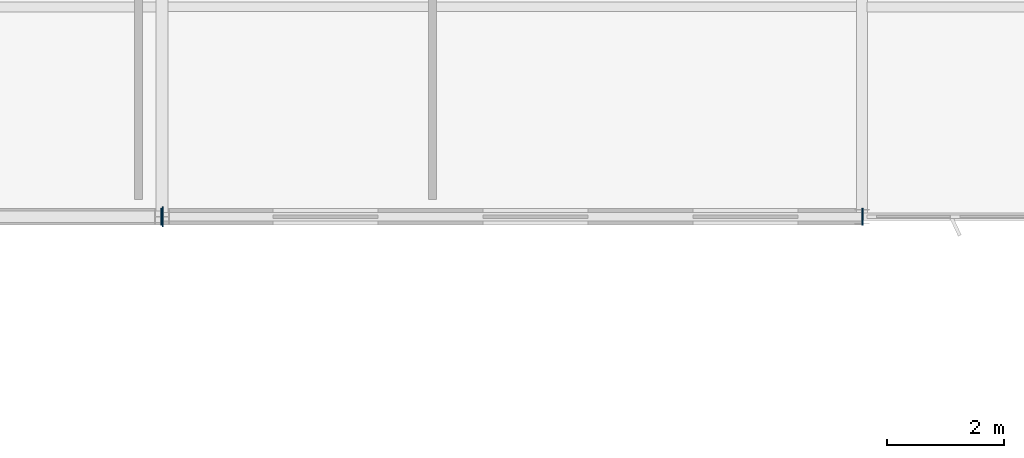
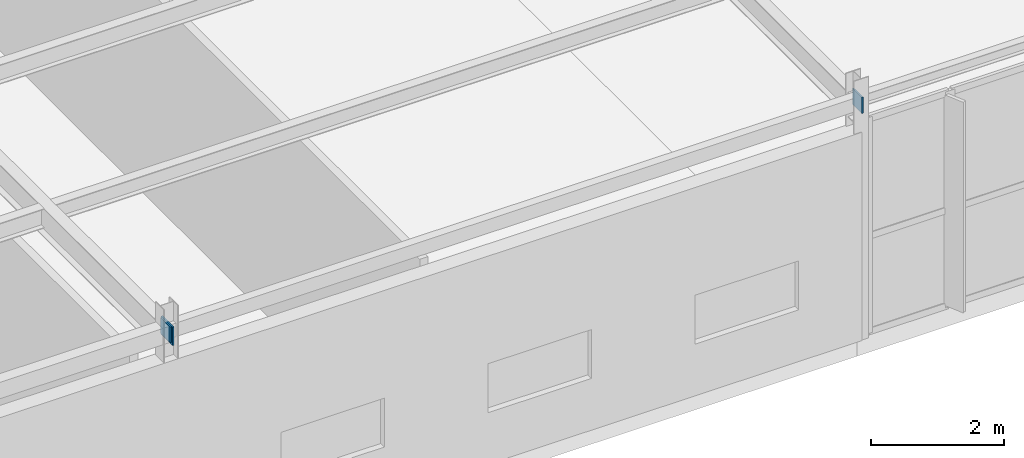
# One storey, part 131 of 199: 3 plates.
"""IFC4 building model written with IfcOpenShell, lengths in metres."""

import ifcopenshell
import ifcopenshell.guid

model = None  # the IFC model being written
_history = None  # IfcOwnerHistory: only IFC2X3 demands one
_inside = {}  # id of a spatial element -> (the spatial element, [elements in it])
_under = {}  # id of a project, library or spatial element -> (it, [spatial elements below it])
_declared = {}  # id of a project -> (the project, [libraries it declares])
_typed = {}  # id of a type object -> (the type object, [elements of that type])
_made_of = {}  # id of a material, layer set ... -> (it, [elements and type objects made of it])


def new_model(schema):
    """Start an empty IFC model of exactly this schema.

    Asked for "IFC4X3", IfcOpenShell would pick the latest addendum, in which some entities
    have other attributes; the version numbers below select the first issue.
    IFC2X3 requires an IfcOwnerHistory on every rooted entity: one is made here for all.
    """
    global model, _history
    if schema == "IFC4X3":
        model = ifcopenshell.file(schema_version=(4, 3, 0, 0))
    else:
        model = ifcopenshell.file(schema=schema)
    _inside.clear()
    _under.clear()
    _declared.clear()
    _typed.clear()
    _made_of.clear()
    _history = None
    if model.schema == "IFC2X3":
        org = make("IfcOrganization", Name="unknown")
        user = make(
            "IfcPersonAndOrganization",
            ThePerson=make("IfcPerson", FamilyName="unknown"),
            TheOrganization=org,
        )
        app = make(
            "IfcApplication",
            ApplicationDeveloper=org,
            Version="unknown",
            ApplicationFullName="unknown",
            ApplicationIdentifier="unknown",
        )
        _history = make(
            "IfcOwnerHistory",
            OwningUser=user,
            OwningApplication=app,
            ChangeAction="ADDED",
            CreationDate=0,
        )
    return model


def make(cls, **values):
    """One entity of the class cls with the attributes given. An attribute that is None is left unset."""
    return model.create_entity(
        cls, **{name: value for name, value in values.items() if value is not None}
    )


def rooted(cls, **values):
    """An entity with a GlobalId (a new one), such as an element, a storey or a relation."""
    return make(cls, GlobalId=ifcopenshell.guid.new(), OwnerHistory=_history, **values)


def si_unit(unit_type, name, prefix=None):
    """IfcSIUnit, for example si_unit("LENGTHUNIT", "METRE", prefix="MILLI")."""
    return make("IfcSIUnit", UnitType=unit_type, Prefix=prefix, Name=name)


def assignment(units):
    """IfcUnitAssignment: the units of a project."""
    return None if units is None else make("IfcUnitAssignment", Units=units)


def point(xyz):
    """IfcCartesianPoint."""
    return None if xyz is None else make("IfcCartesianPoint", Coordinates=xyz)


def direction(xyz):
    """IfcDirection."""
    return None if xyz is None else make("IfcDirection", DirectionRatios=xyz)


def frame(location, z_axis=None, x_axis=None):
    """IfcAxis2Placement3D, a coordinate frame: its origin and axes. An axis left out is left unset."""
    return make(
        "IfcAxis2Placement3D",
        Location=point(location),
        Axis=direction(z_axis),
        RefDirection=direction(x_axis),
    )


def frame_2d(location, x_axis=None):
    """IfcAxis2Placement2D, a coordinate frame in the plane: its origin and x axis."""
    return make(
        "IfcAxis2Placement2D", Location=point(location), RefDirection=direction(x_axis)
    )


def origin():
    """The frame at (0, 0, 0) with its axes left unset."""
    return frame((0.0, 0.0, 0.0))


def origin_2d():
    """The frame at (0, 0) in the plane with its x axis left unset."""
    return frame_2d((0.0, 0.0))


def place(relative_to, where):
    """IfcLocalPlacement: puts the frame where relative to a parent placement (None: the world)."""
    return make(
        "IfcLocalPlacement", PlacementRelTo=relative_to, RelativePlacement=where
    )


def context(
    kind, dimensions, precision=None, world=None, true_north=None, identifier=None
):
    """IfcGeometricRepresentationContext, for example the 3D "Model" context."""
    return make(
        "IfcGeometricRepresentationContext",
        ContextIdentifier=identifier,
        ContextType=kind,
        CoordinateSpaceDimension=dimensions,
        Precision=precision,
        WorldCoordinateSystem=world,
        TrueNorth=true_north,
    )


def subcontext(parent, identifier, kind, view, scale=None):
    """IfcGeometricRepresentationSubContext, for example "Body" below "Model"."""
    return make(
        "IfcGeometricRepresentationSubContext",
        ContextIdentifier=identifier,
        ContextType=kind,
        ParentContext=parent,
        TargetScale=scale,
        TargetView=view,
    )


def project(units=None, contexts=None):
    """IfcProject with its units and contexts."""
    return rooted(
        "IfcProject",
        Name="project",
        RepresentationContexts=contexts,
        UnitsInContext=assignment(units),
    )


def spatial(cls, under=None, at=None, **own):
    """A site, building, storey or space (cls), placed at a placement, below another one or the project."""
    s = rooted(cls, ObjectPlacement=at, **own)
    if under is not None:
        _under.setdefault(under.id(), (under, []))[1].append(s)
    return s


def profile(cls, at=None, kind="AREA", **sizes):
    """A parametric profile (cls). Its sizes go by their IFC names, for example OverallWidth=200.0."""
    return make(cls, ProfileType=kind, Position=at, **sizes)


def rectangle(**sizes):
    """IfcRectangleProfileDef."""
    return profile("IfcRectangleProfileDef", **sizes)


def extrude(swept, where, along, depth):
    """IfcExtrudedAreaSolid: the profile swept, set in the frame where, extruded along a direction by depth."""
    return make(
        "IfcExtrudedAreaSolid",
        SweptArea=swept,
        Position=where,
        ExtrudedDirection=direction(along),
        Depth=depth,
    )


def shape(context_of_items, identifier, shape_type, items):
    """IfcShapeRepresentation: the items that make up one representation, for example the "Body"."""
    return make(
        "IfcShapeRepresentation",
        ContextOfItems=context_of_items,
        RepresentationIdentifier=identifier,
        RepresentationType=shape_type,
        Items=items,
    )


def material(Name=None, Category=None):
    """IfcMaterial."""
    return make("IfcMaterial", Name=Name, Category=Category)


def layer(
    of_material, thickness, ventilated=None, Name=None, Category=None, Priority=None
):
    """IfcMaterialLayer: one layer of a wall or slab, of a material (None: an air gap)."""
    return make(
        "IfcMaterialLayer",
        Material=of_material,
        LayerThickness=thickness,
        IsVentilated=ventilated,
        Name=Name,
        Category=Category,
        Priority=Priority,
    )


def layer_set(layers, Name=None):
    """IfcMaterialLayerSet."""
    return make("IfcMaterialLayerSet", MaterialLayers=layers, LayerSetName=Name)


def made_of(thing, what):
    """Note that an element or type object is made of a material, layer set ...; save() writes the relation."""
    if what is not None:
        _made_of.setdefault(what.id(), (what, []))[1].append(thing)
    return thing


def type_object(cls, material=None, **own):
    """A type object (cls), such as IfcWallType, which elements share."""
    return made_of(rooted(cls, **own), material)


def element(
    cls,
    number,
    at=None,
    inside=None,
    cuts=None,
    type_object=None,
    material=None,
    context=None,
    identifier="Body",
    shape_type=None,
    held_by="IfcProductDefinitionShape",
    body=None,
    shapes=None,
    **own,
):
    """One element of the class cls, such as IfcWall. Its Tag is "e" and its number.

    at: its placement. inside: the storey or other place that contains it. cuts: it is an
    opening in that element (IfcRelVoidsElement). A single representation is given by context,
    identifier, shape_type and body (its items); several are given by shapes. held_by: the class
    of the entity that holds the representations. save() writes the other relations.
    """
    e = rooted(cls, Tag="e%d" % number, ObjectPlacement=at, **own)
    if body is not None:
        shapes = [shape(context, identifier, shape_type, body)]
    if shapes is not None:
        e.Representation = make(held_by, Representations=shapes)
    if inside is not None:
        _inside.setdefault(inside.id(), (inside, []))[1].append(e)
    if cuts is not None:
        rooted(
            "IfcRelVoidsElement", RelatingBuildingElement=cuts, RelatedOpeningElement=e
        )
    if type_object is not None:
        _typed.setdefault(type_object.id(), (type_object, []))[1].append(e)
    return made_of(e, material)


def aggregate(whole, parts):
    """IfcRelAggregates: a whole, such as a stair, and the parts it consists of."""
    return rooted("IfcRelAggregates", RelatingObject=whole, RelatedObjects=parts)


def save(model, path):
    """Write the relations noted so far, then the file.

    IfcRelAggregates (storeys below a building ...), IfcRelContainedInSpatialStructure (elements
    in a storey), IfcRelDefinesByType, IfcRelAssociatesMaterial and IfcRelDeclares: one each for
    every whole, place, type object, material and project.
    """
    for whole, parts in _under.values():
        aggregate(whole, parts)
    for where, things in _inside.values():
        rooted(
            "IfcRelContainedInSpatialStructure",
            RelatedElements=things,
            RelatingStructure=where,
        )
    for kind, things in _typed.values():
        rooted("IfcRelDefinesByType", RelatedObjects=things, RelatingType=kind)
    for what, things in _made_of.values():
        rooted("IfcRelAssociatesMaterial", RelatedObjects=things, RelatingMaterial=what)
    for by, libraries in _declared.values():
        rooted("IfcRelDeclares", RelatingContext=by, RelatedDefinitions=libraries)
    model.write(path)


model = new_model("IFC4")

# Units and contexts
model_context = context("Model", 3, precision=1e-05, world=origin(), true_north=direction((0.0, 1.0)))
body_context = subcontext(model_context, "Body", "Model", "MODEL_VIEW")
ifc_project = project(units=[si_unit("LENGTHUNIT", "METRE"), si_unit("AREAUNIT", "SQUARE_METRE"), si_unit("VOLUMEUNIT", "CUBIC_METRE"), si_unit("PLANEANGLEUNIT", "RADIAN"), si_unit("MASSUNIT", "GRAM", prefix="KILO")], contexts=[model_context])

# Site, building, storey
site_placement = place(None, origin())
site = spatial("IfcSite", under=ifc_project, at=site_placement, CompositionType="ELEMENT")
building_placement = place(site_placement, origin())
building = spatial("IfcBuilding", under=site, at=building_placement, Name="Tarnwether General Hospital", CompositionType="ELEMENT")
storey_placement = place(building_placement, origin())
storey = spatial("IfcBuildingStorey", under=building, at=storey_placement, Name="L00", CompositionType="ELEMENT", Elevation=0.0)

# Plates
ifc_material = material(Name="Steel Grade 350 (350 MPa)", Category="steel")
ifc_layer = layer(ifc_material, 0.02490234375)
ifc_layer_set = layer_set([ifc_layer], Name="Steel Grade 350 (350 MPa)")
plate_type = type_object("IfcPlateType", Name="PT-GUS2", PredefinedType="USERDEFINED", material=ifc_layer_set)
plate_placement = place(storey_placement, frame((36.012451171875, 0.0, 4.125), z_axis=(0.0, 0.0, 1.0), x_axis=(1.0, 0.0, 0.0)))
element("IfcPlate", 1, at=plate_placement, inside=storey, type_object=plate_type, Name="Hollow Section Welded End Cap Plate 0870", ObjectType="GUSSET", PredefinedType="USERDEFINED", context=body_context, shape_type="SweptSolid", body=[
    extrude(rectangle(XDim=0.02490234375, YDim=0.340087890625, at=origin_2d()), origin(), (0.0, 0.0, 1.0), 0.340087890625),
])
for number, where, z_axis, x_axis, name in (
    (2, (35.987548828125, 0.0, 4.175048828125), (0.0, 0.0, 1.0), (1.0, 0.0, 0.0), "Hollow Section Welded End Cap Plate 0871"),
    (3, (48.012451171875, 0.0, 4.175048828125), (0.0, 0.0, 1.0), (1.0, 0.0, 0.0), "Hollow Section Welded End Cap Plate 0872"),
):
    element("IfcPlate", number, at=place(storey_placement, frame(where, z_axis=z_axis, x_axis=x_axis)), inside=storey, type_object=plate_type, Name=name, ObjectType="GUSSET", PredefinedType="USERDEFINED", context=body_context, shape_type="SweptSolid", body=[
        extrude(rectangle(XDim=0.02490234375, YDim=0.2900390625, at=origin_2d()), origin(), (0.0, 0.0, 1.0), 0.2900390625),
    ])

save(model, "model.ifc")
